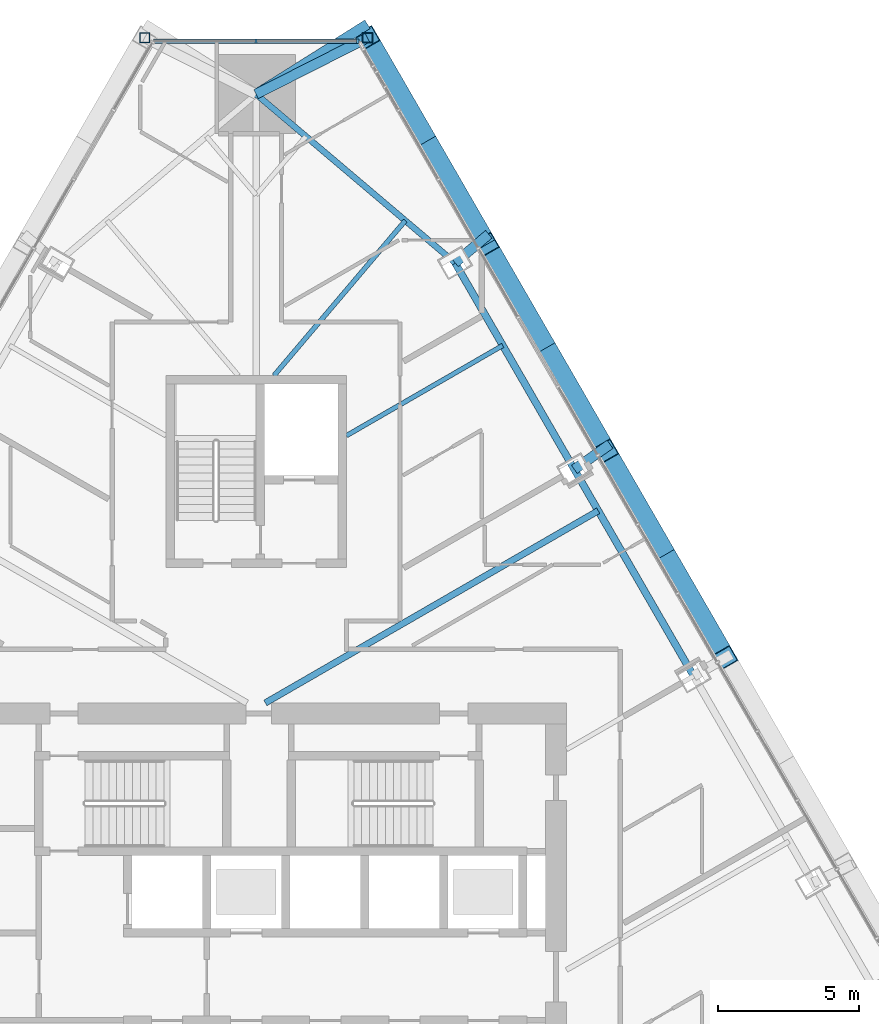
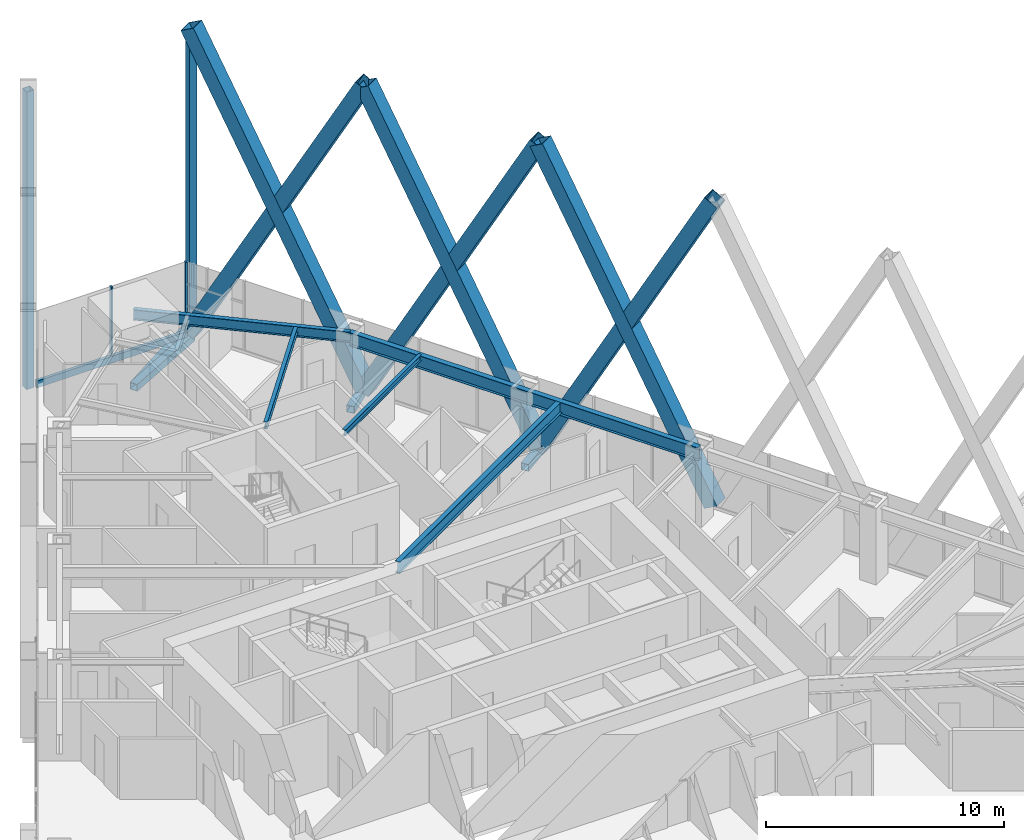
# One storey, part 10 of 19: 15 members, 5 beams, 1 element without a shape of its own.
"""IFC4 building model written with IfcOpenShell, lengths in metres."""

import ifcopenshell
import ifcopenshell.guid

model = None  # the IFC model being written
_history = None  # IfcOwnerHistory: only IFC2X3 demands one
_inside = {}  # id of a spatial element -> (the spatial element, [elements in it])
_under = {}  # id of a project, library or spatial element -> (it, [spatial elements below it])
_declared = {}  # id of a project -> (the project, [libraries it declares])
_typed = {}  # id of a type object -> (the type object, [elements of that type])
_made_of = {}  # id of a material, layer set ... -> (it, [elements and type objects made of it])


def new_model(schema):
    """Start an empty IFC model of exactly this schema.

    Asked for "IFC4X3", IfcOpenShell would pick the latest addendum, in which some entities
    have other attributes; the version numbers below select the first issue.
    IFC2X3 requires an IfcOwnerHistory on every rooted entity: one is made here for all.
    """
    global model, _history
    if schema == "IFC4X3":
        model = ifcopenshell.file(schema_version=(4, 3, 0, 0))
    else:
        model = ifcopenshell.file(schema=schema)
    _inside.clear()
    _under.clear()
    _declared.clear()
    _typed.clear()
    _made_of.clear()
    _history = None
    if model.schema == "IFC2X3":
        org = make("IfcOrganization", Name="unknown")
        user = make(
            "IfcPersonAndOrganization",
            ThePerson=make("IfcPerson", FamilyName="unknown"),
            TheOrganization=org,
        )
        app = make(
            "IfcApplication",
            ApplicationDeveloper=org,
            Version="unknown",
            ApplicationFullName="unknown",
            ApplicationIdentifier="unknown",
        )
        _history = make(
            "IfcOwnerHistory",
            OwningUser=user,
            OwningApplication=app,
            ChangeAction="ADDED",
            CreationDate=0,
        )
    return model


def make(cls, **values):
    """One entity of the class cls with the attributes given. An attribute that is None is left unset."""
    return model.create_entity(
        cls, **{name: value for name, value in values.items() if value is not None}
    )


def rooted(cls, **values):
    """An entity with a GlobalId (a new one), such as an element, a storey or a relation."""
    return make(cls, GlobalId=ifcopenshell.guid.new(), OwnerHistory=_history, **values)


def si_unit(unit_type, name, prefix=None):
    """IfcSIUnit, for example si_unit("LENGTHUNIT", "METRE", prefix="MILLI")."""
    return make("IfcSIUnit", UnitType=unit_type, Prefix=prefix, Name=name)


def assignment(units):
    """IfcUnitAssignment: the units of a project."""
    return None if units is None else make("IfcUnitAssignment", Units=units)


def point(xyz):
    """IfcCartesianPoint."""
    return None if xyz is None else make("IfcCartesianPoint", Coordinates=xyz)


def direction(xyz):
    """IfcDirection."""
    return None if xyz is None else make("IfcDirection", DirectionRatios=xyz)


def frame(location, z_axis=None, x_axis=None):
    """IfcAxis2Placement3D, a coordinate frame: its origin and axes. An axis left out is left unset."""
    return make(
        "IfcAxis2Placement3D",
        Location=point(location),
        Axis=direction(z_axis),
        RefDirection=direction(x_axis),
    )


def frame_2d(location, x_axis=None):
    """IfcAxis2Placement2D, a coordinate frame in the plane: its origin and x axis."""
    return make(
        "IfcAxis2Placement2D", Location=point(location), RefDirection=direction(x_axis)
    )


def origin():
    """The frame at (0, 0, 0) with its axes left unset."""
    return frame((0.0, 0.0, 0.0))


def origin_2d():
    """The frame at (0, 0) in the plane with its x axis left unset."""
    return frame_2d((0.0, 0.0))


def place(relative_to, where):
    """IfcLocalPlacement: puts the frame where relative to a parent placement (None: the world)."""
    return make(
        "IfcLocalPlacement", PlacementRelTo=relative_to, RelativePlacement=where
    )


def context(
    kind, dimensions, precision=None, world=None, true_north=None, identifier=None
):
    """IfcGeometricRepresentationContext, for example the 3D "Model" context."""
    return make(
        "IfcGeometricRepresentationContext",
        ContextIdentifier=identifier,
        ContextType=kind,
        CoordinateSpaceDimension=dimensions,
        Precision=precision,
        WorldCoordinateSystem=world,
        TrueNorth=true_north,
    )


def subcontext(parent, identifier, kind, view, scale=None):
    """IfcGeometricRepresentationSubContext, for example "Body" below "Model"."""
    return make(
        "IfcGeometricRepresentationSubContext",
        ContextIdentifier=identifier,
        ContextType=kind,
        ParentContext=parent,
        TargetScale=scale,
        TargetView=view,
    )


def project(units=None, contexts=None):
    """IfcProject with its units and contexts."""
    return rooted(
        "IfcProject",
        Name="project",
        RepresentationContexts=contexts,
        UnitsInContext=assignment(units),
    )


def spatial(cls, under=None, at=None, **own):
    """A site, building, storey or space (cls), placed at a placement, below another one or the project."""
    s = rooted(cls, ObjectPlacement=at, **own)
    if under is not None:
        _under.setdefault(under.id(), (under, []))[1].append(s)
    return s


def profile(cls, at=None, kind="AREA", **sizes):
    """A parametric profile (cls). Its sizes go by their IFC names, for example OverallWidth=200.0."""
    return make(cls, ProfileType=kind, Position=at, **sizes)


def rectangle(**sizes):
    """IfcRectangleProfileDef."""
    return profile("IfcRectangleProfileDef", **sizes)


def hollow_rectangle(**sizes):
    """IfcRectangleHollowProfileDef."""
    return profile("IfcRectangleHollowProfileDef", **sizes)


def i_section(**sizes):
    """IfcIShapeProfileDef."""
    return profile("IfcIShapeProfileDef", **sizes)


def extrude(swept, where, along, depth):
    """IfcExtrudedAreaSolid: the profile swept, set in the frame where, extruded along a direction by depth."""
    return make(
        "IfcExtrudedAreaSolid",
        SweptArea=swept,
        Position=where,
        ExtrudedDirection=direction(along),
        Depth=depth,
    )


def shape(context_of_items, identifier, shape_type, items):
    """IfcShapeRepresentation: the items that make up one representation, for example the "Body"."""
    return make(
        "IfcShapeRepresentation",
        ContextOfItems=context_of_items,
        RepresentationIdentifier=identifier,
        RepresentationType=shape_type,
        Items=items,
    )


def material(Name=None, Category=None):
    """IfcMaterial."""
    return make("IfcMaterial", Name=Name, Category=Category)


def layer(
    of_material, thickness, ventilated=None, Name=None, Category=None, Priority=None
):
    """IfcMaterialLayer: one layer of a wall or slab, of a material (None: an air gap)."""
    return make(
        "IfcMaterialLayer",
        Material=of_material,
        LayerThickness=thickness,
        IsVentilated=ventilated,
        Name=Name,
        Category=Category,
        Priority=Priority,
    )


def layer_set(layers, Name=None):
    """IfcMaterialLayerSet."""
    return make("IfcMaterialLayerSet", MaterialLayers=layers, LayerSetName=Name)


def material_profile(
    of_material, cross_section, Name=None, Category=None, Priority=None
):
    """IfcMaterialProfile: a cross section and its material."""
    return make(
        "IfcMaterialProfile",
        Name=Name,
        Material=of_material,
        Profile=cross_section,
        Priority=Priority,
        Category=Category,
    )


def profile_set(profiles, Name=None, composite=None):
    """IfcMaterialProfileSet."""
    return make(
        "IfcMaterialProfileSet",
        Name=Name,
        MaterialProfiles=profiles,
        CompositeProfile=composite,
    )


def made_of(thing, what):
    """Note that an element or type object is made of a material, layer set ...; save() writes the relation."""
    if what is not None:
        _made_of.setdefault(what.id(), (what, []))[1].append(thing)
    return thing


def type_object(cls, material=None, **own):
    """A type object (cls), such as IfcWallType, which elements share."""
    return made_of(rooted(cls, **own), material)


def element(
    cls,
    number,
    at=None,
    inside=None,
    cuts=None,
    type_object=None,
    material=None,
    context=None,
    identifier="Body",
    shape_type=None,
    held_by="IfcProductDefinitionShape",
    body=None,
    shapes=None,
    **own,
):
    """One element of the class cls, such as IfcWall. Its Tag is "e" and its number.

    at: its placement. inside: the storey or other place that contains it. cuts: it is an
    opening in that element (IfcRelVoidsElement). A single representation is given by context,
    identifier, shape_type and body (its items); several are given by shapes. held_by: the class
    of the entity that holds the representations. save() writes the other relations.
    """
    e = rooted(cls, Tag="e%d" % number, ObjectPlacement=at, **own)
    if body is not None:
        shapes = [shape(context, identifier, shape_type, body)]
    if shapes is not None:
        e.Representation = make(held_by, Representations=shapes)
    if inside is not None:
        _inside.setdefault(inside.id(), (inside, []))[1].append(e)
    if cuts is not None:
        rooted(
            "IfcRelVoidsElement", RelatingBuildingElement=cuts, RelatedOpeningElement=e
        )
    if type_object is not None:
        _typed.setdefault(type_object.id(), (type_object, []))[1].append(e)
    return made_of(e, material)


def aggregate(whole, parts):
    """IfcRelAggregates: a whole, such as a stair, and the parts it consists of."""
    return rooted("IfcRelAggregates", RelatingObject=whole, RelatedObjects=parts)


def save(model, path):
    """Write the relations noted so far, then the file.

    IfcRelAggregates (storeys below a building ...), IfcRelContainedInSpatialStructure (elements
    in a storey), IfcRelDefinesByType, IfcRelAssociatesMaterial and IfcRelDeclares: one each for
    every whole, place, type object, material and project.
    """
    for whole, parts in _under.values():
        aggregate(whole, parts)
    for where, things in _inside.values():
        rooted(
            "IfcRelContainedInSpatialStructure",
            RelatedElements=things,
            RelatingStructure=where,
        )
    for kind, things in _typed.values():
        rooted("IfcRelDefinesByType", RelatedObjects=things, RelatingType=kind)
    for what, things in _made_of.values():
        rooted("IfcRelAssociatesMaterial", RelatedObjects=things, RelatingMaterial=what)
    for by, libraries in _declared.values():
        rooted("IfcRelDeclares", RelatingContext=by, RelatedDefinitions=libraries)
    model.write(path)


model = new_model("IFC4")

# Units and contexts
model_context = context("Model", 3, precision=1e-05, world=origin(), true_north=direction((0.0, 1.0)))
body_context = subcontext(model_context, "Body", "Model", "MODEL_VIEW")
ifc_project = project(units=[si_unit("LENGTHUNIT", "METRE"), si_unit("AREAUNIT", "SQUARE_METRE"), si_unit("VOLUMEUNIT", "CUBIC_METRE"), si_unit("PLANEANGLEUNIT", "RADIAN"), si_unit("MASSUNIT", "GRAM", prefix="KILO")], contexts=[model_context])

# Site, building, storey
site_placement = place(None, origin())
site = spatial("IfcSite", under=ifc_project, at=site_placement, CompositionType="ELEMENT")
building_placement = place(site_placement, origin())
building = spatial("IfcBuilding", under=site, at=building_placement, Name="Firuza Gate Tower and Library", CompositionType="ELEMENT")
storey_placement = place(building_placement, frame((0.0, 0.0, 218.199951171875)))
storey = spatial("IfcBuildingStorey", under=building, at=storey_placement, Name="L51", CompositionType="ELEMENT", Elevation=218.199951171875)

# Members
ifc_material_1 = material(Name="Steel S355", Category="steel")
ifc_material_profile_1 = material_profile(ifc_material_1, hollow_rectangle(XDim=0.699951171875, YDim=0.699951171875, WallThickness=0.030029296875, at=origin_2d()))
ifc_profile_set_1 = profile_set([ifc_material_profile_1], Name="Steel S355")
member_type_1 = type_object("IfcMemberType", Name="BU700x700x30 Lattice brace", PredefinedType="BRACE", material=ifc_profile_set_1)
for number, where, z_axis, x_axis, name in (
    (1, (91.6298828125, 84.601318359375, 0.0), (-0.23826157971, 0.412682209494, 0.879161426361), (-0.86602595357, -0.499999047742, 0.0), "Lattice brace E 12.4R"),
    (2, (87.402099609375, 91.924072265625, 0.0), (0.23826157971, -0.412682209494, 0.879161426361), (0.86602595357, 0.499999047742, 0.0), "Lattice brace E 12.4L"),
    (3, (87.402099609375, 91.924072265625, 0.0), (-0.23826157971, 0.412682209494, 0.879161426361), (-0.86602595357, -0.499999047742, 0.0), "Lattice brace E 12.5R"),
    (4, (83.17431640625, 99.246826171875, 0.0), (0.23826157971, -0.412682209494, 0.879161426361), (0.86602595357, 0.499999047742, 0.0), "Lattice brace E 12.5L"),
    (5, (83.17431640625, 99.246826171875, 0.0), (-0.238273204472, 0.412692272095, 0.879153552335), (-0.866020669537, -0.500008199868, 0.0), "Lattice brace E 12.6R"),
    (6, (78.9462890625, 106.56982421875, 0.0), (0.238273204472, -0.412692272095, 0.879153552335), (0.866020669537, 0.500008199868, 0.0), "Lattice brace E 12.6L"),
):
    element("IfcMember", number, at=place(storey_placement, frame(where, z_axis=z_axis, x_axis=x_axis)), inside=storey, type_object=member_type_1, Name=name, PredefinedType="BRACE", context=body_context, shape_type="SweptSolid", body=[
        extrude(hollow_rectangle(XDim=0.699951171875, YDim=0.699951171875, WallThickness=0.030029296875, at=origin_2d()), origin(), (0.0, 0.0, 1.0), 17.744384765625),
    ])

# Curtain wall, members
ifc_material_2 = material(Name="Aluminium 6063-T6", Category="aluminium")
ifc_layer = layer(ifc_material_2, 0.14990234375)
ifc_layer_set = layer_set([ifc_layer], Name="Corner curtain wall, chamfers")
curtain_wall_type = type_object("IfcCurtainWallType", Name="Corner curtain wall, chamfers", PredefinedType="NOTDEFINED", material=ifc_layer_set)
curtain_wall_placement = place(storey_placement, origin())
curtain_wall = element("IfcCurtainWall", 7, at=curtain_wall_placement, inside=storey, type_object=curtain_wall_type, Name="CW4 L51 N corner", PredefinedType="NOTDEFINED")
ifc_material_3 = material(Name="Aluminium 6063-T6", Category="aluminium")
ifc_material_profile_2 = material_profile(ifc_material_3, rectangle(XDim=0.14990234375, YDim=0.080078125, at=origin_2d()))
ifc_profile_set_2 = profile_set([ifc_material_profile_2], Name="Aluminium 6063-T6")
member_type_2 = type_object("IfcMemberType", Name="Curtain wall mullion 80x150", PredefinedType="MULLION", material=ifc_profile_set_2)
member_1_placement = place(storey_placement, frame((78.603271484375, 106.44482421875, 0.150146484375), z_axis=(0.0, 0.0, 1.0), x_axis=(0.0, -1.0, 0.0)))
member_1 = element("IfcMember", 8, at=member_1_placement, type_object=member_type_2, Name="Mullion", PredefinedType="MULLION", context=body_context, shape_type="SweptSolid", body=[
    extrude(rectangle(XDim=0.14990234375, YDim=0.080078125, at=origin_2d()), origin(), (0.0, 0.0, 1.0), 3.5498046875),
])
member_2_placement = place(storey_placement, frame((75.0, 106.44482421875, 0.150146484375), z_axis=(0.0, 0.0, 1.0), x_axis=(0.0, -1.0, 0.0)))
member_2 = element("IfcMember", 9, at=member_2_placement, type_object=member_type_2, Name="Mullion", PredefinedType="MULLION", context=body_context, shape_type="SweptSolid", body=[
    extrude(rectangle(XDim=0.14990234375, YDim=0.080078125, at=origin_2d()), origin(), (0.0, 0.0, 1.0), 3.5498046875),
])
ifc_material_4 = material(Name="Aluminium 6063-T6", Category="aluminium")
ifc_material_profile_3 = material_profile(ifc_material_4, rectangle(XDim=0.14990234375, YDim=0.35009765625, at=origin_2d()))
ifc_profile_set_3 = profile_set([ifc_material_profile_3], Name="Aluminium 6063-T6")
member_type_3 = type_object("IfcMemberType", Name="Curtain wall transom 350x150", PredefinedType="USERDEFINED", material=ifc_profile_set_3)
member_3_placement = place(storey_placement, frame((78.643310546875, 106.44482421875, -0.02490234375), z_axis=(-1.0, 0.0, 0.0), x_axis=(0.0, -1.0, 0.0)))
member_3 = element("IfcMember", 10, at=member_3_placement, type_object=member_type_3, Name="Transom", ObjectType="TRANSOM", PredefinedType="USERDEFINED", context=body_context, shape_type="SweptSolid", body=[
    extrude(rectangle(XDim=0.14990234375, YDim=0.35009765625, at=origin_2d()), origin(), (0.0, 0.0, 1.0), 7.28662109375),
])
aggregate(curtain_wall, [member_1, member_2, member_3])

# Members
ifc_material_5 = material(Name="Steel S355", Category="steel")
ifc_material_profile_4 = material_profile(ifc_material_5, hollow_rectangle(XDim=0.355712890625, YDim=0.355712890625, WallThickness=0.014892578125, at=origin_2d()))
ifc_profile_set_4 = profile_set([ifc_material_profile_4], Name="Steel S355")
member_type_4 = type_object("IfcMemberType", Name="HSS356x356x16 Lattice corner stile", PredefinedType="BRACE", material=ifc_profile_set_4)
for number, where, z_axis, x_axis, name in (
    (11, (78.9462890625, 106.56982421875, -0.139892578125), (0.0, 0.0, 1.0), (1.0, 0.0, 0.0), "Lattice corner stile E 12.B"),
    (12, (71.0537109375, 106.56982421875, -0.139892578125), (0.0, 0.0, 1.0), (1.0, 0.0, 0.0), "Lattice corner stile W 12.A"),
):
    element("IfcMember", number, at=place(storey_placement, frame(where, z_axis=z_axis, x_axis=x_axis)), inside=storey, type_object=member_type_4, Name=name, PredefinedType="BRACE", context=body_context, shape_type="SweptSolid", body=[
        extrude(hollow_rectangle(XDim=0.355712890625, YDim=0.355712890625, WallThickness=0.014892578125, at=origin_2d()), origin(), (0.0, 0.0, 1.0), 15.239990234375),
    ])
ifc_material_6 = material(Name="Steel S355", Category="steel")
ifc_material_profile_5 = material_profile(ifc_material_6, hollow_rectangle(XDim=0.355712890625, YDim=0.355712890625, WallThickness=0.014892578125, at=origin_2d()))
ifc_profile_set_5 = profile_set([ifc_material_profile_5], Name="Steel S355")
member_type_5 = type_object("IfcMemberType", Name="HSS356x356x16 Lattice node tie", PredefinedType="BRACE", material=ifc_profile_set_5)
member_4_placement = place(storey_placement, frame((75.0, 104.56982421875, -0.320068359375), z_axis=(0.846854320975, 0.531824932704, 0.0), x_axis=(-0.531824932704, 0.846854320975, 0.0)))
element("IfcMember", 13, at=member_4_placement, inside=storey, type_object=member_type_5, Name="Lattice node tie E L51 262", PredefinedType="BRACE", context=body_context, shape_type="SweptSolid", body=[
    extrude(hollow_rectangle(XDim=0.355712890625, YDim=0.355712890625, WallThickness=0.014892578125, at=origin_2d()), origin(), (0.0, 0.0, 1.0), 4.659912109375),
])
member_5_placement = place(storey_placement, frame((75.0, 104.56982421875, -0.320068359375), z_axis=(0.891985934506, 0.452063151168, 0.0), x_axis=(-0.452063151168, 0.891985934506, 0.0)))
element("IfcMember", 14, at=member_5_placement, inside=storey, type_object=member_type_5, Name="Lattice node tie E L51 263", PredefinedType="BRACE", context=body_context, shape_type="SweptSolid", body=[
    extrude(hollow_rectangle(XDim=0.355712890625, YDim=0.355712890625, WallThickness=0.014892578125, at=origin_2d()), origin(), (0.0, 0.0, 1.0), 4.424072265625),
])
member_6_placement = place(storey_placement, frame((82.04833984375, 98.596923828125, -0.320068359375), z_axis=(0.764084640746, 0.645116006449, 0.0), x_axis=(-0.645116006449, 0.764084640746, 0.0)))
element("IfcMember", 15, at=member_6_placement, inside=storey, type_object=member_type_5, Name="Lattice node tie E L51 264", PredefinedType="BRACE", context=body_context, shape_type="SweptSolid", body=[
    extrude(hollow_rectangle(XDim=0.355712890625, YDim=0.355712890625, WallThickness=0.014892578125, at=origin_2d()), origin(), (0.0, 0.0, 1.0), 1.563720703125),
])
member_7_placement = place(storey_placement, frame((86.276123046875, 91.274169921875, -0.320068359375), z_axis=(0.817886273366, 0.575379912613, 0.0), x_axis=(-0.575379912613, 0.817886273366, 0.0)))
element("IfcMember", 16, at=member_7_placement, inside=storey, type_object=member_type_5, Name="Lattice node tie E L51 265", PredefinedType="BRACE", context=body_context, shape_type="SweptSolid", body=[
    extrude(hollow_rectangle(XDim=0.355712890625, YDim=0.355712890625, WallThickness=0.014892578125, at=origin_2d()), origin(), (0.0, 0.0, 1.0), 1.54541015625),
])

# Beams
ifc_material_7 = material(Name="Steel S355", Category="steel")
ifc_material_profile_6 = material_profile(ifc_material_7, i_section(OverallWidth=0.1650390625, OverallDepth=0.31005859375, WebThickness=0.005859375, FlangeThickness=0.009765625, at=origin_2d()))
ifc_profile_set_6 = profile_set([ifc_material_profile_6], Name="Steel S355")
beam_type_1 = type_object("IfcBeamType", Name="W310x39 Floor beam", PredefinedType="JOIST", material=ifc_profile_set_6)
beam_1_placement = place(storey_placement, frame((83.739501953125, 95.667724609375, 3.545166015625), z_axis=(-0.866026686418, -0.499997778408, 0.0), x_axis=(0.499997778408, -0.866026686418, 0.0)))
element("IfcBeam", 17, at=beam_1_placement, inside=storey, type_object=beam_type_1, Name="Floor beam L51 s54", PredefinedType="JOIST", context=body_context, shape_type="SweptSolid", body=[
    extrude(i_section(OverallWidth=0.1650390625, OverallDepth=0.31005859375, WebThickness=0.005859375, FlangeThickness=0.009765625, at=origin_2d()), origin(), (0.0, 0.0, 1.0), 6.396484375),
])
ifc_material_8 = material(Name="Steel S355", Category="steel")
ifc_material_profile_7 = material_profile(ifc_material_8, i_section(OverallWidth=0.1708984375, OverallDepth=0.35498046875, WebThickness=0.007080078125, FlangeThickness=0.01171875, at=origin_2d()))
ifc_profile_set_7 = profile_set([ifc_material_profile_7], Name="Steel S355")
beam_type_2 = type_object("IfcBeamType", Name="W360x51 Floor beam", PredefinedType="JOIST", material=ifc_profile_set_7)
beam_2_placement = place(storey_placement, frame((80.286376953125, 100.090087890625, 3.5224609375), z_axis=(-0.646506300363, -0.76290864695, 0.0), x_axis=(0.76290864695, -0.646506300363, 0.0)))
element("IfcBeam", 18, at=beam_2_placement, inside=storey, type_object=beam_type_2, Name="Floor beam L51 s60", PredefinedType="JOIST", context=body_context, shape_type="SweptSolid", body=[
    extrude(i_section(OverallWidth=0.1708984375, OverallDepth=0.35498046875, WebThickness=0.007080078125, FlangeThickness=0.01171875, at=origin_2d()), origin(), (0.0, 0.0, 1.0), 7.196044921875),
])
ifc_material_9 = material(Name="Steel S355", Category="steel")
ifc_material_profile_8 = material_profile(ifc_material_9, i_section(OverallWidth=0.212890625, OverallDepth=0.5390625, WebThickness=0.01171875, FlangeThickness=0.018798828125, at=origin_2d()))
ifc_profile_set_8 = profile_set([ifc_material_profile_8], Name="Steel S355")
beam_type_3 = type_object("IfcBeamType", Name="W530x109 Edge beam", PredefinedType="SPANDREL", material=ifc_profile_set_8)
beam_3_placement = place(storey_placement, frame((82.04833984375, 98.596923828125, 3.4306640625), z_axis=(-0.762909959778, 0.646504751159, 0.0), x_axis=(-0.646504751159, -0.762909959778, 0.0)))
element("IfcBeam", 19, at=beam_3_placement, inside=storey, type_object=beam_type_3, Name="Edge beam L51 e60", PredefinedType="SPANDREL", context=body_context, shape_type="SweptSolid", body=[
    extrude(i_section(OverallWidth=0.212890625, OverallDepth=0.5390625, WebThickness=0.01171875, FlangeThickness=0.018798828125, at=origin_2d()), origin(), (0.0, 0.0, 1.0), 9.23876953125),
])
ifc_material_10 = material(Name="Steel S355", Category="steel")
ifc_material_profile_9 = material_profile(ifc_material_10, i_section(OverallWidth=0.22802734375, OverallDepth=0.60302734375, WebThickness=0.010498046875, FlangeThickness=0.014892578125, at=origin_2d()))
ifc_profile_set_9 = profile_set([ifc_material_profile_9], Name="Steel S355")
beam_type_4 = type_object("IfcBeamType", Name="W610x101 Floor beam", PredefinedType="JOIST", material=ifc_profile_set_9)
beam_4_placement = place(storey_placement, frame((87.121826171875, 89.8095703125, 3.3984375), z_axis=(-0.866023785365, -0.500002803175, 0.0), x_axis=(0.500002803175, -0.866023785365, 0.0)))
element("IfcBeam", 20, at=beam_4_placement, inside=storey, type_object=beam_type_4, Name="Floor beam L51 s53", PredefinedType="JOIST", context=body_context, shape_type="SweptSolid", body=[
    extrude(i_section(OverallWidth=0.22802734375, OverallDepth=0.60302734375, WebThickness=0.010498046875, FlangeThickness=0.014892578125, at=origin_2d()), origin(), (0.0, 0.0, 1.0), 13.619140625),
])
ifc_material_11 = material(Name="Steel S355", Category="steel")
ifc_material_profile_10 = material_profile(ifc_material_11, i_section(OverallWidth=0.2529296875, OverallDepth=0.677978515625, WebThickness=0.01171875, FlangeThickness=0.016357421875, at=origin_2d()))
ifc_profile_set_10 = profile_set([ifc_material_profile_10], Name="Steel S355")
beam_type_5 = type_object("IfcBeamType", Name="W690x125 Edge beam", PredefinedType="SPANDREL", material=ifc_profile_set_10)
beam_5_placement = place(storey_placement, frame((90.504150390625, 83.951171875, 3.361083984375), z_axis=(-0.500003623902, 0.866023311513, 0.0), x_axis=(-0.866023311513, -0.500003623902, 0.0)))
element("IfcBeam", 21, at=beam_5_placement, inside=storey, type_object=beam_type_5, Name="Edge beam L51 e52", PredefinedType="SPANDREL", context=body_context, shape_type="SweptSolid", body=[
    extrude(i_section(OverallWidth=0.2529296875, OverallDepth=0.677978515625, WebThickness=0.01171875, FlangeThickness=0.016357421875, at=origin_2d()), origin(), (0.0, 0.0, 1.0), 16.911376953125),
])

save(model, "model.ifc")
